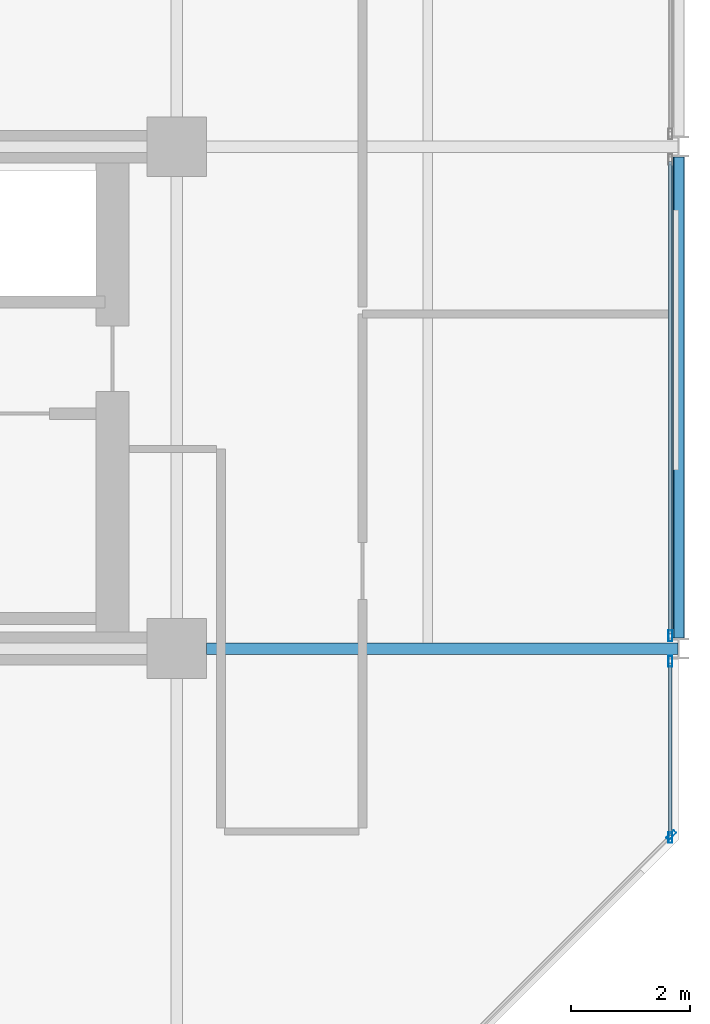
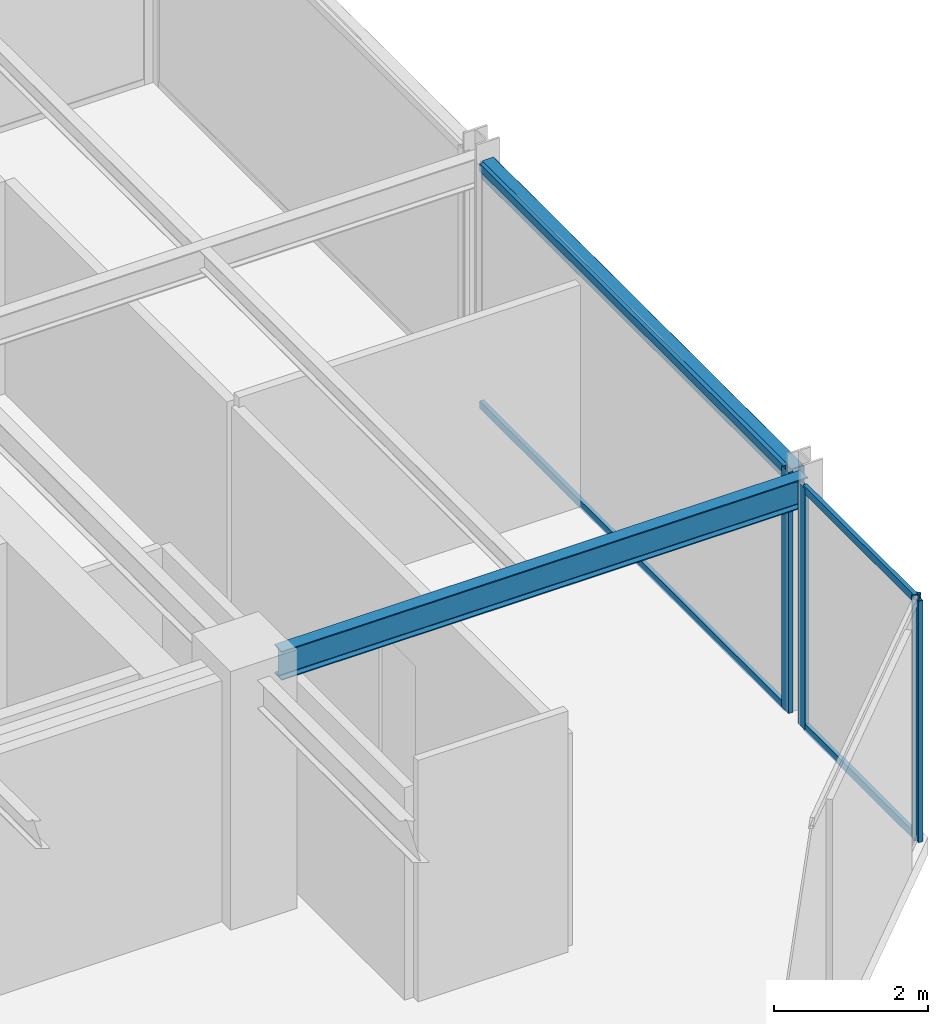
# One storey, part 13 of 29: 8 members, 2 beams, 3 elements without a shape of their own.
"""IFC4 building model written with IfcOpenShell, lengths in metres."""

import ifcopenshell
import ifcopenshell.guid

model = None  # the IFC model being written
_history = None  # IfcOwnerHistory: only IFC2X3 demands one
_inside = {}  # id of a spatial element -> (the spatial element, [elements in it])
_under = {}  # id of a project, library or spatial element -> (it, [spatial elements below it])
_declared = {}  # id of a project -> (the project, [libraries it declares])
_typed = {}  # id of a type object -> (the type object, [elements of that type])
_made_of = {}  # id of a material, layer set ... -> (it, [elements and type objects made of it])


def new_model(schema):
    """Start an empty IFC model of exactly this schema.

    Asked for "IFC4X3", IfcOpenShell would pick the latest addendum, in which some entities
    have other attributes; the version numbers below select the first issue.
    IFC2X3 requires an IfcOwnerHistory on every rooted entity: one is made here for all.
    """
    global model, _history
    if schema == "IFC4X3":
        model = ifcopenshell.file(schema_version=(4, 3, 0, 0))
    else:
        model = ifcopenshell.file(schema=schema)
    _inside.clear()
    _under.clear()
    _declared.clear()
    _typed.clear()
    _made_of.clear()
    _history = None
    if model.schema == "IFC2X3":
        org = make("IfcOrganization", Name="unknown")
        user = make(
            "IfcPersonAndOrganization",
            ThePerson=make("IfcPerson", FamilyName="unknown"),
            TheOrganization=org,
        )
        app = make(
            "IfcApplication",
            ApplicationDeveloper=org,
            Version="unknown",
            ApplicationFullName="unknown",
            ApplicationIdentifier="unknown",
        )
        _history = make(
            "IfcOwnerHistory",
            OwningUser=user,
            OwningApplication=app,
            ChangeAction="ADDED",
            CreationDate=0,
        )
    return model


def make(cls, **values):
    """One entity of the class cls with the attributes given. An attribute that is None is left unset."""
    return model.create_entity(
        cls, **{name: value for name, value in values.items() if value is not None}
    )


def rooted(cls, **values):
    """An entity with a GlobalId (a new one), such as an element, a storey or a relation."""
    return make(cls, GlobalId=ifcopenshell.guid.new(), OwnerHistory=_history, **values)


def si_unit(unit_type, name, prefix=None):
    """IfcSIUnit, for example si_unit("LENGTHUNIT", "METRE", prefix="MILLI")."""
    return make("IfcSIUnit", UnitType=unit_type, Prefix=prefix, Name=name)


def assignment(units):
    """IfcUnitAssignment: the units of a project."""
    return None if units is None else make("IfcUnitAssignment", Units=units)


def point(xyz):
    """IfcCartesianPoint."""
    return None if xyz is None else make("IfcCartesianPoint", Coordinates=xyz)


def direction(xyz):
    """IfcDirection."""
    return None if xyz is None else make("IfcDirection", DirectionRatios=xyz)


def frame(location, z_axis=None, x_axis=None):
    """IfcAxis2Placement3D, a coordinate frame: its origin and axes. An axis left out is left unset."""
    return make(
        "IfcAxis2Placement3D",
        Location=point(location),
        Axis=direction(z_axis),
        RefDirection=direction(x_axis),
    )


def frame_2d(location, x_axis=None):
    """IfcAxis2Placement2D, a coordinate frame in the plane: its origin and x axis."""
    return make(
        "IfcAxis2Placement2D", Location=point(location), RefDirection=direction(x_axis)
    )


def origin():
    """The frame at (0, 0, 0) with its axes left unset."""
    return frame((0.0, 0.0, 0.0))


def origin_2d():
    """The frame at (0, 0) in the plane with its x axis left unset."""
    return frame_2d((0.0, 0.0))


def place(relative_to, where):
    """IfcLocalPlacement: puts the frame where relative to a parent placement (None: the world)."""
    return make(
        "IfcLocalPlacement", PlacementRelTo=relative_to, RelativePlacement=where
    )


def context(
    kind, dimensions, precision=None, world=None, true_north=None, identifier=None
):
    """IfcGeometricRepresentationContext, for example the 3D "Model" context."""
    return make(
        "IfcGeometricRepresentationContext",
        ContextIdentifier=identifier,
        ContextType=kind,
        CoordinateSpaceDimension=dimensions,
        Precision=precision,
        WorldCoordinateSystem=world,
        TrueNorth=true_north,
    )


def subcontext(parent, identifier, kind, view, scale=None):
    """IfcGeometricRepresentationSubContext, for example "Body" below "Model"."""
    return make(
        "IfcGeometricRepresentationSubContext",
        ContextIdentifier=identifier,
        ContextType=kind,
        ParentContext=parent,
        TargetScale=scale,
        TargetView=view,
    )


def project(units=None, contexts=None):
    """IfcProject with its units and contexts."""
    return rooted(
        "IfcProject",
        Name="project",
        RepresentationContexts=contexts,
        UnitsInContext=assignment(units),
    )


def spatial(cls, under=None, at=None, **own):
    """A site, building, storey or space (cls), placed at a placement, below another one or the project."""
    s = rooted(cls, ObjectPlacement=at, **own)
    if under is not None:
        _under.setdefault(under.id(), (under, []))[1].append(s)
    return s


def profile(cls, at=None, kind="AREA", **sizes):
    """A parametric profile (cls). Its sizes go by their IFC names, for example OverallWidth=200.0."""
    return make(cls, ProfileType=kind, Position=at, **sizes)


def hollow_rectangle(**sizes):
    """IfcRectangleHollowProfileDef."""
    return profile("IfcRectangleHollowProfileDef", **sizes)


def i_section(**sizes):
    """IfcIShapeProfileDef."""
    return profile("IfcIShapeProfileDef", **sizes)


def extrude(swept, where, along, depth):
    """IfcExtrudedAreaSolid: the profile swept, set in the frame where, extruded along a direction by depth."""
    return make(
        "IfcExtrudedAreaSolid",
        SweptArea=swept,
        Position=where,
        ExtrudedDirection=direction(along),
        Depth=depth,
    )


def shape(context_of_items, identifier, shape_type, items):
    """IfcShapeRepresentation: the items that make up one representation, for example the "Body"."""
    return make(
        "IfcShapeRepresentation",
        ContextOfItems=context_of_items,
        RepresentationIdentifier=identifier,
        RepresentationType=shape_type,
        Items=items,
    )


def material(Name=None, Category=None):
    """IfcMaterial."""
    return make("IfcMaterial", Name=Name, Category=Category)


def layer(
    of_material, thickness, ventilated=None, Name=None, Category=None, Priority=None
):
    """IfcMaterialLayer: one layer of a wall or slab, of a material (None: an air gap)."""
    return make(
        "IfcMaterialLayer",
        Material=of_material,
        LayerThickness=thickness,
        IsVentilated=ventilated,
        Name=Name,
        Category=Category,
        Priority=Priority,
    )


def layer_set(layers, Name=None):
    """IfcMaterialLayerSet."""
    return make("IfcMaterialLayerSet", MaterialLayers=layers, LayerSetName=Name)


def material_profile(
    of_material, cross_section, Name=None, Category=None, Priority=None
):
    """IfcMaterialProfile: a cross section and its material."""
    return make(
        "IfcMaterialProfile",
        Name=Name,
        Material=of_material,
        Profile=cross_section,
        Priority=Priority,
        Category=Category,
    )


def profile_set(profiles, Name=None, composite=None):
    """IfcMaterialProfileSet."""
    return make(
        "IfcMaterialProfileSet",
        Name=Name,
        MaterialProfiles=profiles,
        CompositeProfile=composite,
    )


def made_of(thing, what):
    """Note that an element or type object is made of a material, layer set ...; save() writes the relation."""
    if what is not None:
        _made_of.setdefault(what.id(), (what, []))[1].append(thing)
    return thing


def type_object(cls, material=None, **own):
    """A type object (cls), such as IfcWallType, which elements share."""
    return made_of(rooted(cls, **own), material)


def element(
    cls,
    number,
    at=None,
    inside=None,
    cuts=None,
    type_object=None,
    material=None,
    context=None,
    identifier="Body",
    shape_type=None,
    held_by="IfcProductDefinitionShape",
    body=None,
    shapes=None,
    **own,
):
    """One element of the class cls, such as IfcWall. Its Tag is "e" and its number.

    at: its placement. inside: the storey or other place that contains it. cuts: it is an
    opening in that element (IfcRelVoidsElement). A single representation is given by context,
    identifier, shape_type and body (its items); several are given by shapes. held_by: the class
    of the entity that holds the representations. save() writes the other relations.
    """
    e = rooted(cls, Tag="e%d" % number, ObjectPlacement=at, **own)
    if body is not None:
        shapes = [shape(context, identifier, shape_type, body)]
    if shapes is not None:
        e.Representation = make(held_by, Representations=shapes)
    if inside is not None:
        _inside.setdefault(inside.id(), (inside, []))[1].append(e)
    if cuts is not None:
        rooted(
            "IfcRelVoidsElement", RelatingBuildingElement=cuts, RelatedOpeningElement=e
        )
    if type_object is not None:
        _typed.setdefault(type_object.id(), (type_object, []))[1].append(e)
    return made_of(e, material)


def aggregate(whole, parts):
    """IfcRelAggregates: a whole, such as a stair, and the parts it consists of."""
    return rooted("IfcRelAggregates", RelatingObject=whole, RelatedObjects=parts)


def save(model, path):
    """Write the relations noted so far, then the file.

    IfcRelAggregates (storeys below a building ...), IfcRelContainedInSpatialStructure (elements
    in a storey), IfcRelDefinesByType, IfcRelAssociatesMaterial and IfcRelDeclares: one each for
    every whole, place, type object, material and project.
    """
    for whole, parts in _under.values():
        aggregate(whole, parts)
    for where, things in _inside.values():
        rooted(
            "IfcRelContainedInSpatialStructure",
            RelatedElements=things,
            RelatingStructure=where,
        )
    for kind, things in _typed.values():
        rooted("IfcRelDefinesByType", RelatedObjects=things, RelatingType=kind)
    for what, things in _made_of.values():
        rooted("IfcRelAssociatesMaterial", RelatedObjects=things, RelatingMaterial=what)
    for by, libraries in _declared.values():
        rooted("IfcRelDeclares", RelatingContext=by, RelatedDefinitions=libraries)
    model.write(path)


model = new_model("IFC4")

# Units and contexts
model_context = context("Model", 3, precision=1e-05, world=origin(), true_north=direction((0.0, 1.0)))
body_context = subcontext(model_context, "Body", "Model", "MODEL_VIEW")
ifc_project = project(units=[si_unit("LENGTHUNIT", "METRE"), si_unit("AREAUNIT", "SQUARE_METRE"), si_unit("VOLUMEUNIT", "CUBIC_METRE"), si_unit("PLANEANGLEUNIT", "RADIAN"), si_unit("MASSUNIT", "GRAM", prefix="KILO")], contexts=[model_context])

# Site, building, storey
site_placement = place(None, origin())
site = spatial("IfcSite", under=ifc_project, at=site_placement, CompositionType="ELEMENT")
building_placement = place(site_placement, origin())
building = spatial("IfcBuilding", under=site, at=building_placement, Name="Nerrivon Quay Data Exchange", CompositionType="ELEMENT")
storey_placement = place(building_placement, frame((0.0, 0.0, 208.300048828125)))
storey = spatial("IfcBuildingStorey", under=building, at=storey_placement, Name="L49", CompositionType="ELEMENT", Elevation=208.300048828125)

# Beams
ifc_material_1 = material(Name="Steel Grade 350", Category="steel")
ifc_material_profile_1 = material_profile(ifc_material_1, i_section(OverallWidth=0.19091796875, OverallDepth=0.4599609375, WebThickness=0.010009765625, FlangeThickness=0.01611328125, FilletRadius=0.011474609375, at=origin_2d()), Name="460UB82.1")
ifc_profile_set_1 = profile_set([ifc_material_profile_1], Name="Steel Grade 350")
beam_type_1 = type_object("IfcBeamType", Name="BM-G5-460UB82", PredefinedType="BEAM", material=ifc_profile_set_1)
beam_1_placement = place(storey_placement, frame((34.10009765625, 8.39990234375, 3.594970703125), z_axis=(1.0, 0.0, 0.0), x_axis=(0.0, 1.0, 0.0)))
element("IfcBeam", 1, at=beam_1_placement, inside=storey, type_object=beam_type_1, Name="L49 EW Girder Y=8.4 (33.6..42.0)", PredefinedType="BEAM", context=body_context, shape_type="SweptSolid", body=[
    extrude(i_section(OverallWidth=0.19091796875, OverallDepth=0.4599609375, WebThickness=0.010009765625, FlangeThickness=0.01611328125, FilletRadius=0.011474609375, at=origin_2d()), origin(), (0.0, 0.0, 1.0), 7.889892578125),
])
ifc_material_2 = material(Name="Steel Grade C350L0 (350 MPa)", Category="steel")
ifc_material_profile_2 = material_profile(ifc_material_2, hollow_rectangle(XDim=0.199951171875, YDim=0.300048828125, WallThickness=0.012451171875, InnerFilletRadius=0.018798828125, OuterFilletRadius=0.03125, at=origin_2d()), Name="300x200x12.5RHS")
ifc_profile_set_2 = profile_set([ifc_material_profile_2], Name="Steel Grade C350L0 (350 MPa)")
beam_type_2 = type_object("IfcBeamType", Name="BM-SP3-300x200RHS", PredefinedType="SPANDREL", material=ifc_profile_set_2)
beam_2_placement = place(storey_placement, frame((42.0, 8.574951171875, 3.675048828125), z_axis=(0.0, 1.0, 0.0), x_axis=(-1.0, 0.0, 0.0)))
element("IfcBeam", 2, at=beam_2_placement, inside=storey, type_object=beam_type_2, Name="L49 NS Girder X=42.0 (8.4..16.8)", PredefinedType="SPANDREL", context=body_context, shape_type="SweptSolid", body=[
    extrude(hollow_rectangle(XDim=0.199951171875, YDim=0.300048828125, WallThickness=0.012451171875, InnerFilletRadius=0.018798828125, OuterFilletRadius=0.03125, at=origin_2d()), origin(), (0.0, 0.0, 1.0), 8.050048828125),
])

# Curtain wall, member
ifc_material_3 = material(Name="Anodised aluminium 6063-T6", Category="aluminium")
ifc_layer = layer(ifc_material_3, 0.195068359375)
ifc_layer_set = layer_set([ifc_layer], Name="Anodised aluminium 6063-T6")
curtain_wall_type = type_object("IfcCurtainWallType", Name="CW-SYS-06", PredefinedType="NOTDEFINED", material=ifc_layer_set)
curtain_wall_1_placement = place(storey_placement, origin())
curtain_wall_1 = element("IfcCurtainWall", 3, at=curtain_wall_1_placement, inside=storey, type_object=curtain_wall_type, Name="L49 Unitised Curtain Wall 19", PredefinedType="NOTDEFINED")
ifc_material_profile_3 = material_profile(ifc_material_3, hollow_rectangle(XDim=0.06494140625, YDim=0.179931640625, WallThickness=0.00341796875, at=origin_2d()), Name="ALU-MULL-180x65")
ifc_profile_set_3 = profile_set([ifc_material_profile_3], Name="Anodised aluminium 6063-T6")
member_type_1 = type_object("IfcMemberType", Name="CWM-180x65", PredefinedType="MULLION", material=ifc_profile_set_3)
member_1_placement = place(storey_placement, frame((41.860107421875, 8.612548828125, 0.0), z_axis=(0.0, 0.0, 1.0), x_axis=(1.0, 0.0, 0.0)))
member_1 = element("IfcMember", 4, at=member_1_placement, type_object=member_type_1, Name="CW06 mullion 2", PredefinedType="MULLION", context=body_context, shape_type="SweptSolid", body=[
    extrude(hollow_rectangle(XDim=0.06494140625, YDim=0.179931640625, WallThickness=0.00341796875, at=origin_2d()), origin(), (0.0, 0.0, 1.0), 3.824951171875),
])

# Curtain wall, members
curtain_wall_2_placement = place(storey_placement, origin())
curtain_wall_2 = element("IfcCurtainWall", 5, at=curtain_wall_2_placement, inside=storey, type_object=curtain_wall_type, Name="L49 Unitised Curtain Wall 20", PredefinedType="NOTDEFINED")
member_2_placement = place(storey_placement, frame((41.860107421875, 8.1875, 0.0), z_axis=(0.0, 0.0, 1.0), x_axis=(1.0, 0.0, 0.0)))
member_2 = element("IfcMember", 6, at=member_2_placement, type_object=member_type_1, Name="CW06 mullion 1", PredefinedType="MULLION", context=body_context, shape_type="SweptSolid", body=[
    extrude(hollow_rectangle(XDim=0.06494140625, YDim=0.179931640625, WallThickness=0.00341796875, at=origin_2d()), origin(), (0.0, 0.0, 1.0), 3.824951171875),
])
member_3_placement = place(storey_placement, frame((41.860107421875, 5.237548828125, 0.0), z_axis=(0.0, 0.0, 1.0), x_axis=(1.0, 0.0, 0.0)))
member_3 = element("IfcMember", 7, at=member_3_placement, type_object=member_type_1, Name="CW06 mullion 2", PredefinedType="MULLION", context=body_context, shape_type="SweptSolid", body=[
    extrude(hollow_rectangle(XDim=0.06494140625, YDim=0.179931640625, WallThickness=0.00341796875, at=origin_2d()), origin(), (0.0, 0.0, 1.0), 3.824951171875),
])

# Curtain wall, member
curtain_wall_3_placement = place(storey_placement, origin())
curtain_wall_3 = element("IfcCurtainWall", 8, at=curtain_wall_3_placement, inside=storey, type_object=curtain_wall_type, Name="L49 Unitised Curtain Wall 21", PredefinedType="NOTDEFINED")
member_4_placement = place(storey_placement, frame((41.87451171875, 5.2724609375, 0.0), z_axis=(0.0, 0.0, 1.0), x_axis=(0.707106781187, -0.707106781187, 0.0)))
member_4 = element("IfcMember", 9, at=member_4_placement, type_object=member_type_1, Name="CW06 mullion 1", PredefinedType="MULLION", context=body_context, shape_type="SweptSolid", body=[
    extrude(hollow_rectangle(XDim=0.06494140625, YDim=0.179931640625, WallThickness=0.00341796875, at=origin_2d()), origin(), (0.0, 0.0, 1.0), 3.824951171875),
])
aggregate(curtain_wall_3, [member_4])

# Member
ifc_material_profile_4 = material_profile(ifc_material_3, hollow_rectangle(XDim=0.06005859375, YDim=0.1201171875, WallThickness=0.003173828125, at=origin_2d()), Name="ALU-TRAN-120x60")
ifc_profile_set_4 = profile_set([ifc_material_profile_4], Name="Anodised aluminium 6063-T6")
member_type_2 = type_object("IfcMemberType", Name="CWT-120x60", PredefinedType="USERDEFINED", material=ifc_profile_set_4)
member_5_placement = place(storey_placement, frame((41.860107421875, 16.550048828125, 0.032470703125), z_axis=(0.0, -1.0, 0.0), x_axis=(1.0, 0.0, 0.0)))
member_5 = element("IfcMember", 10, at=member_5_placement, type_object=member_type_2, Name="CW06 transom 1.1", ObjectType="TRANSOM", PredefinedType="USERDEFINED", context=body_context, shape_type="SweptSolid", body=[
    extrude(hollow_rectangle(XDim=0.06005859375, YDim=0.1201171875, WallThickness=0.003173828125, at=origin_2d()), origin(), (0.0, 0.0, 1.0), 7.900146484375),
])

member_6_placement = place(storey_placement, frame((41.860107421875, 16.550048828125, 3.79248046875), z_axis=(0.0, -1.0, 0.0), x_axis=(1.0, 0.0, 0.0)))
member_6 = element("IfcMember", 11, at=member_6_placement, type_object=member_type_2, Name="CW06 transom 1.2", ObjectType="TRANSOM", PredefinedType="USERDEFINED", context=body_context, shape_type="SweptSolid", body=[
    extrude(hollow_rectangle(XDim=0.06005859375, YDim=0.1201171875, WallThickness=0.003173828125, at=origin_2d()), origin(), (0.0, 0.0, 1.0), 7.900146484375),
])

aggregate(curtain_wall_1, [member_1, member_5, member_6])

member_7_placement = place(storey_placement, frame((41.860107421875, 8.14990234375, 0.032470703125), z_axis=(0.0, -1.0, 0.0), x_axis=(1.0, 0.0, 0.0)))
member_7 = element("IfcMember", 12, at=member_7_placement, type_object=member_type_2, Name="CW06 transom 1.1", ObjectType="TRANSOM", PredefinedType="USERDEFINED", context=body_context, shape_type="SweptSolid", body=[
    extrude(hollow_rectangle(XDim=0.06005859375, YDim=0.1201171875, WallThickness=0.003173828125, at=origin_2d()), origin(), (0.0, 0.0, 1.0), 2.875),
])

member_8_placement = place(storey_placement, frame((41.860107421875, 8.14990234375, 3.79248046875), z_axis=(0.0, -1.0, 0.0), x_axis=(1.0, 0.0, 0.0)))
member_8 = element("IfcMember", 13, at=member_8_placement, type_object=member_type_2, Name="CW06 transom 1.2", ObjectType="TRANSOM", PredefinedType="USERDEFINED", context=body_context, shape_type="SweptSolid", body=[
    extrude(hollow_rectangle(XDim=0.06005859375, YDim=0.1201171875, WallThickness=0.003173828125, at=origin_2d()), origin(), (0.0, 0.0, 1.0), 2.875),
])

aggregate(curtain_wall_2, [member_2, member_3, member_7, member_8])

save(model, "model.ifc")
